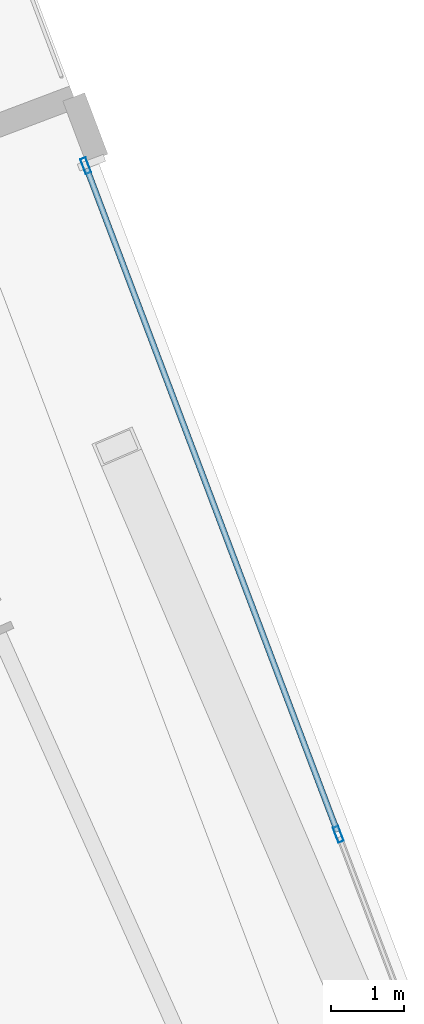
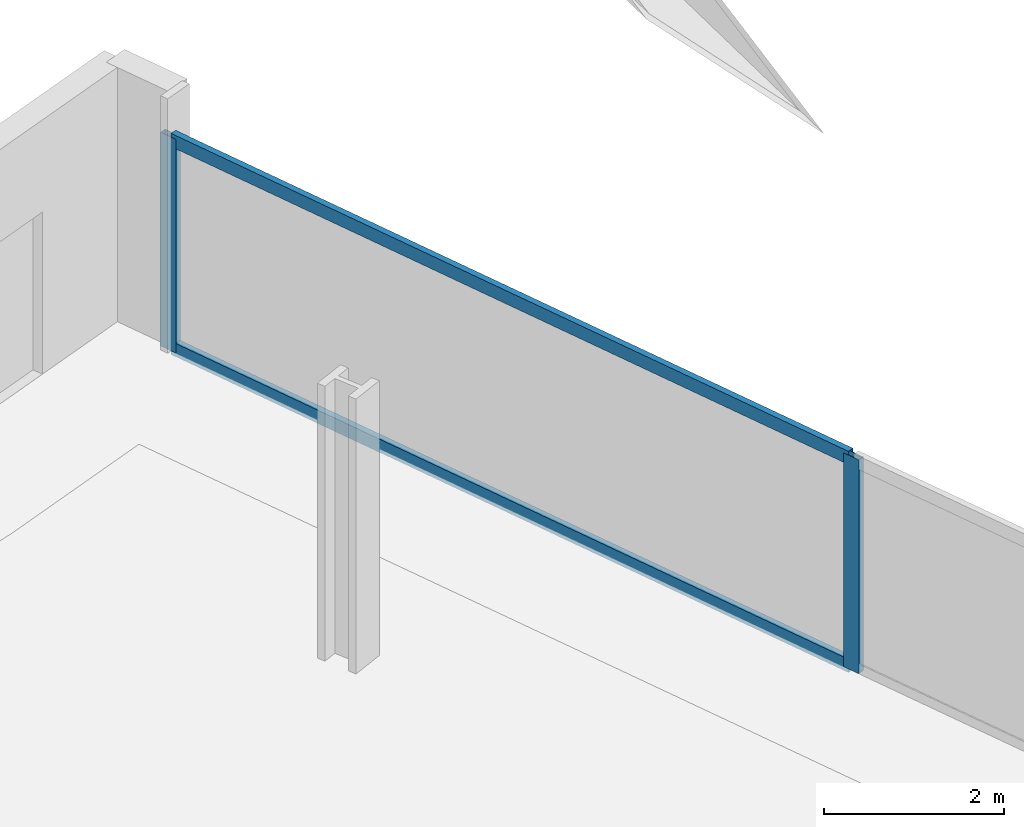
# One storey, part 27 of 37: 4 members, 1 element without a shape of its own.
"""IFC4 building model written with IfcOpenShell, lengths in metres."""

from ifc_helpers import new_model, si_unit, direction, frame, origin, origin_2d, place, context, subcontext, project, spatial, hollow_rectangle, extrude, material, material_profile, profile_set, type_object, element, aggregate, save


model = new_model("IFC4")

# Units and contexts
model_context = context("Model", 3, precision=1e-05, world=origin(), true_north=direction((0.0, 1.0)))
body_context = subcontext(model_context, "Body", "Model", "MODEL_VIEW")
ifc_project = project(units=[si_unit("LENGTHUNIT", "METRE"), si_unit("AREAUNIT", "SQUARE_METRE"), si_unit("VOLUMEUNIT", "CUBIC_METRE"), si_unit("PLANEANGLEUNIT", "RADIAN"), si_unit("MASSUNIT", "GRAM", prefix="KILO")], contexts=[model_context])

# Site, building, storey
site_placement = place(None, origin())
site = spatial("IfcSite", under=ifc_project, at=site_placement, CompositionType="ELEMENT")
building_placement = place(site_placement, origin())
building = spatial("IfcBuilding", under=site, at=building_placement, Name="Haldenkirk Collegiate Tower", CompositionType="ELEMENT")
storey_placement = place(building_placement, frame((0.0, 0.0, 97.949951171875)))
storey = spatial("IfcBuildingStorey", under=building, at=storey_placement, Name="L23", CompositionType="ELEMENT", Elevation=97.949951171875)

# Curtain wall, members
ifc_material = material(Name="Anodised architectural bronze aluminium", Category="aluminium")
curtain_wall_type = type_object("IfcCurtainWallType", Name="CW-SYS1-CONVEX-LOW", PredefinedType="USERDEFINED", material=ifc_material)
curtain_wall_placement = place(storey_placement, origin())
curtain_wall = element("IfcCurtainWall", 1, at=curtain_wall_placement, inside=storey, type_object=curtain_wall_type, Name="L23 Lower tower convex bronze-framed unitised curtain wall", ObjectType="UNITISED CURTAIN WALL", PredefinedType="USERDEFINED")
ifc_material_profile_1 = material_profile(ifc_material, hollow_rectangle(XDim=0.080078125, YDim=0.219970703125, WallThickness=0.0048828125, at=origin_2d()), Name="CW-MUL-1A")
ifc_profile_set_1 = profile_set([ifc_material_profile_1], Name="Anodised architectural bronze aluminium")
member_type_1 = type_object("IfcMemberType", Name="CW-MUL-1A", PredefinedType="MULLION", material=ifc_profile_set_1)
member_1_placement = place(storey_placement, frame((53.2265625, 53.739990234375, 0.0), z_axis=(0.0, 0.0, 1.0), x_axis=(0.93544328227, 0.35347682478, 0.0)))
member_1 = element("IfcMember", 2, at=member_1_placement, type_object=member_type_1, Name="CW-1A mullion 1", PredefinedType="MULLION", context=body_context, shape_type="SweptSolid", body=[
    extrude(hollow_rectangle(XDim=0.080078125, YDim=0.219970703125, WallThickness=0.0048828125, at=origin_2d()), origin(), (0.0, 0.0, 1.0), 2.901123046875),
])
member_2_placement = place(storey_placement, frame((56.6943359375, 44.563232421875, 0.0), z_axis=(0.0, 0.0, 1.0), x_axis=(0.93544328227, 0.35347682478, 0.0)))
member_2 = element("IfcMember", 3, at=member_2_placement, type_object=member_type_1, Name="CW-1A mullion 2", PredefinedType="MULLION", context=body_context, shape_type="SweptSolid", body=[
    extrude(hollow_rectangle(XDim=0.080078125, YDim=0.219970703125, WallThickness=0.0048828125, at=origin_2d()), origin(), (0.0, 0.0, 1.0), 2.901123046875),
])
ifc_material_profile_2 = material_profile(ifc_material, hollow_rectangle(XDim=0.080078125, YDim=0.179931640625, WallThickness=0.0048828125, at=origin_2d()), Name="CW-TRN-1A")
ifc_profile_set_2 = profile_set([ifc_material_profile_2], Name="Anodised architectural bronze aluminium")
member_type_2 = type_object("IfcMemberType", Name="CW-TRN-1A", PredefinedType="USERDEFINED", material=ifc_profile_set_2)
member_3_placement = place(storey_placement, frame((53.24072265625, 53.70263671875, 0.0400390625), z_axis=(0.353481565464, -0.935441490889, 0.0), x_axis=(0.935441490889, 0.353481565464, 0.0)))
member_3 = element("IfcMember", 4, at=member_3_placement, type_object=member_type_2, Name="CW-1A transom 1.1", ObjectType="TRANSOM", PredefinedType="USERDEFINED", context=body_context, shape_type="SweptSolid", body=[
    extrude(hollow_rectangle(XDim=0.080078125, YDim=0.179931640625, WallThickness=0.0048828125, at=origin_2d()), origin(), (0.0, 0.0, 1.0), 9.730224609375),
])
member_4_placement = place(storey_placement, frame((53.24072265625, 53.70263671875, 2.861083984375), z_axis=(0.353481565464, -0.935441490889, 0.0), x_axis=(0.935441490889, 0.353481565464, 0.0)))
member_4 = element("IfcMember", 5, at=member_4_placement, type_object=member_type_2, Name="CW-1A transom 1.2", ObjectType="TRANSOM", PredefinedType="USERDEFINED", context=body_context, shape_type="SweptSolid", body=[
    extrude(hollow_rectangle(XDim=0.080078125, YDim=0.179931640625, WallThickness=0.0048828125, at=origin_2d()), origin(), (0.0, 0.0, 1.0), 9.730224609375),
])
aggregate(curtain_wall, [member_1, member_2, member_3, member_4])

save(model, "model.ifc")
